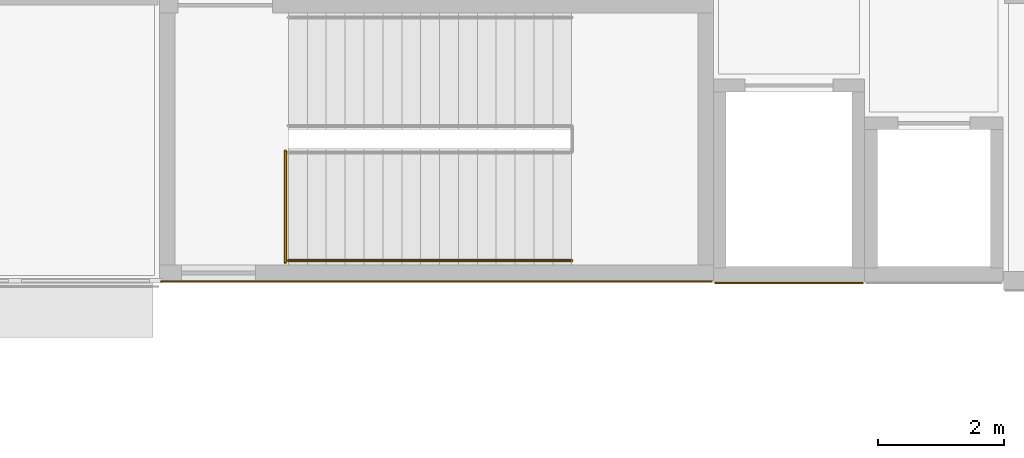
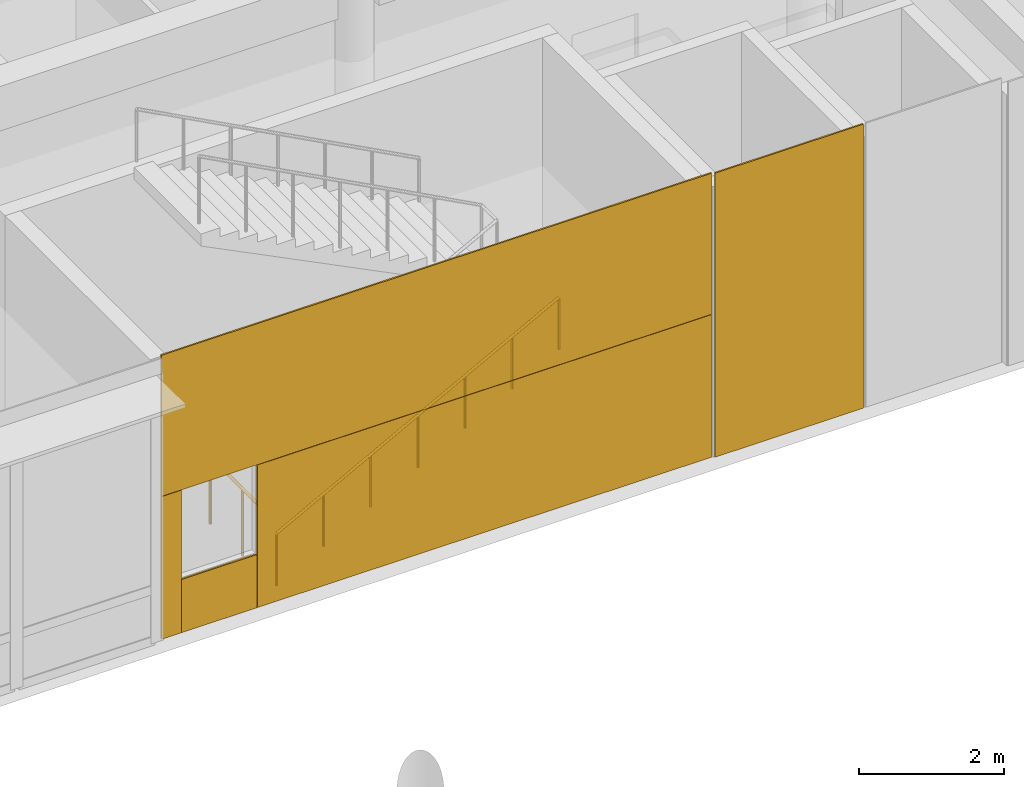
# One storey, part 80 of 92: 5 coverings, 2 railings.
"""IFC4 building model written with IfcOpenShell, lengths in metres."""

from ifc_helpers import new_model, si_unit, direction, frame, origin, origin_2d, place, context, subcontext, project, spatial, rectangle, circle, extrude, material, layer, layer_set, type_object, element, save


model = new_model("IFC4")

# Units and contexts
model_context = context("Model", 3, precision=1e-05, world=origin(), true_north=direction((0.0, 1.0)))
body_context = subcontext(model_context, "Body", "Model", "MODEL_VIEW")
ifc_project = project(units=[si_unit("LENGTHUNIT", "METRE"), si_unit("AREAUNIT", "SQUARE_METRE"), si_unit("VOLUMEUNIT", "CUBIC_METRE"), si_unit("PLANEANGLEUNIT", "RADIAN"), si_unit("MASSUNIT", "GRAM", prefix="KILO")], contexts=[model_context])

# Site, building, storey
site_placement = place(None, origin())
site = spatial("IfcSite", under=ifc_project, at=site_placement, CompositionType="ELEMENT")
building_placement = place(site_placement, origin())
building = spatial("IfcBuilding", under=site, at=building_placement, Name="Namkhue Oval Health Centre", CompositionType="ELEMENT")
storey_placement = place(building_placement, frame((0.0, 0.0, 4.800048828125)))
storey = spatial("IfcBuildingStorey", under=building, at=storey_placement, Name="L01", CompositionType="ELEMENT", Elevation=4.800048828125)

# Railings
ifc_material_1 = material(Name="Brushed stainless steel 316L balustrade with laminated glass infill", Category="steel")
railing_type_1 = type_object("IfcRailingType", Name="INTERIOR BALUSTRADE GUARD 1150", PredefinedType="BALUSTRADE", material=ifc_material_1)
railing_1_placement = place(storey_placement, frame((59.60009765625, 90.2900390625, 0.0)))
element("IfcRailing", 1, at=railing_1_placement, inside=storey, type_object=railing_type_1, Name="Stair ST-03 L01 Landing Well Edge Guard", PredefinedType="BALUSTRADE", context=body_context, shape_type="SweptSolid", body=[
    extrude(circle(Radius=0.02392578125, at=origin_2d()), frame((0.0, 0.0, 1.1259765625), z_axis=(0.0, 1.0, 0.0), x_axis=(-1.0, 0.0, 0.0)), (0.0, 0.0, 1.0), 1.77001953125),
    extrude(circle(Radius=0.02099609375, at=origin_2d()), origin(), (0.0, 0.0, 1.0), 1.101806640625),
    extrude(circle(Radius=0.02099609375, at=origin_2d()), frame((0.0, 0.885009765625, 0.0)), (0.0, 0.0, 1.0), 1.101806640625),
    extrude(circle(Radius=0.02099609375, at=origin_2d()), frame((0.0, 1.77001953125, 0.0)), (0.0, 0.0, 1.0), 1.101806640625),
])
ifc_material_2 = material(Name="Brushed stainless steel 304 tubular handrail", Category="steel")
railing_type_2 = type_object("IfcRailingType", Name="INTERIOR STAIR HANDRAIL 900", PredefinedType="HANDRAIL", material=ifc_material_2)
railing_2_placement = place(storey_placement, frame((59.64990234375, 90.320068359375, 0.0)))
element("IfcRailing", 2, at=railing_2_placement, inside=storey, type_object=railing_type_2, Name="Stair ST-03 L01 Flight 1 Handrail", PredefinedType="HANDRAIL", context=body_context, shape_type="SweptSolid", body=[
    extrude(circle(Radius=0.02392578125, at=origin_2d()), frame((0.0, 0.0, 0.8759765625), z_axis=(0.882360891967, 0.0, 0.470573327259), x_axis=(0.0, 1.0, 0.0)), (0.0, 0.0, 1.0), 5.099853515625),
    extrude(circle(Radius=0.02099609375, at=origin_2d()), origin(), (0.0, 0.0, 1.0), 0.851806640625),
    extrude(circle(Radius=0.02099609375, at=origin_2d()), frame((0.75, 0.0, 0.39990234375)), (0.0, 0.0, 1.0), 0.851806640625),
    extrude(circle(Radius=0.02099609375, at=origin_2d()), frame((1.5, 0.0, 0.800048828125)), (0.0, 0.0, 1.0), 0.851806640625),
    extrude(circle(Radius=0.02099609375, at=origin_2d()), frame((2.25, 0.0, 1.199951171875)), (0.0, 0.0, 1.0), 0.851806640625),
    extrude(circle(Radius=0.02099609375, at=origin_2d()), frame((3.0, 0.0, 1.599853515625)), (0.0, 0.0, 1.0), 0.851806640625),
    extrude(circle(Radius=0.02099609375, at=origin_2d()), frame((3.75, 0.0, 2.0)), (0.0, 0.0, 1.0), 0.851806640625),
    extrude(circle(Radius=0.02099609375, at=origin_2d()), frame((4.5, 0.0, 2.39990234375)), (0.0, 0.0, 1.0), 0.851806640625),
])

# Coverings
ifc_material_3 = material(Name="White glass-fibre reinforced concrete GRC rainscreen cladding", Category="concrete")
ifc_layer = layer(ifc_material_3, 0.02490234375)
ifc_layer_set = layer_set([ifc_layer], Name="White glass-fibre reinforced concrete GRC rainscreen cladding")
covering_type = type_object("IfcCoveringType", Name="WHITE GRC RAINSCREEN CLADDING 25", PredefinedType="CLADDING", material=ifc_layer_set)
covering_1_placement = place(storey_placement, frame((62.0, 89.988037109375, 2.4150390625), z_axis=(0.0, 0.0, 1.0), x_axis=(1.0, 0.0, 0.0)))
element("IfcCovering", 3, at=covering_1_placement, inside=storey, type_object=covering_type, Name="Core SC-03 L01 Core S White GRC Cladding 1", PredefinedType="CLADDING", context=body_context, shape_type="SweptSolid", body=[
    extrude(rectangle(XDim=8.760009765625, YDim=0.02490234375, at=origin_2d()), origin(), (0.0, 0.0, 1.0), 2.375),
])
covering_2_placement = place(storey_placement, frame((57.777587890625, 89.988037109375, 0.010009765625), z_axis=(0.0, 0.0, 1.0), x_axis=(1.0, 0.0, 0.0)))
element("IfcCovering", 4, at=covering_2_placement, inside=storey, type_object=covering_type, Name="Core SC-03 L01 Core S White GRC Cladding 2", PredefinedType="CLADDING", context=body_context, shape_type="SweptSolid", body=[
    extrude(rectangle(XDim=0.31494140625, YDim=0.02490234375, at=origin_2d()), origin(), (0.0, 0.0, 1.0), 2.39990234375),
])
covering_3_placement = place(storey_placement, frame((58.5400390625, 89.988037109375, 0.010009765625), z_axis=(0.0, 0.0, 1.0), x_axis=(1.0, 0.0, 0.0)))
element("IfcCovering", 5, at=covering_3_placement, inside=storey, type_object=covering_type, Name="Core SC-03 L01 Core S White GRC Cladding 3", PredefinedType="CLADDING", context=body_context, shape_type="SweptSolid", body=[
    extrude(rectangle(XDim=1.199951171875, YDim=0.02490234375, at=origin_2d()), origin(), (0.0, 0.0, 1.0), 0.89501953125),
])
covering_4_placement = place(storey_placement, frame((62.762451171875, 89.988037109375, 0.010009765625), z_axis=(0.0, 0.0, 1.0), x_axis=(1.0, 0.0, 0.0)))
element("IfcCovering", 6, at=covering_4_placement, inside=storey, type_object=covering_type, Name="Core SC-03 L01 Core S White GRC Cladding 4", PredefinedType="CLADDING", context=body_context, shape_type="SweptSolid", body=[
    extrude(rectangle(XDim=7.235107421875, YDim=0.02490234375, at=origin_2d()), origin(), (0.0, 0.0, 1.0), 2.39990234375),
])
covering_5_placement = place(storey_placement, frame((67.60009765625, 89.962890625, 0.009765625), z_axis=(0.0, 0.0, 1.0), x_axis=(1.0, 0.0, 0.0)))
element("IfcCovering", 7, at=covering_5_placement, inside=storey, type_object=covering_type, Name="Lift LF-01 L01 S White GRC Cladding 1", PredefinedType="CLADDING", context=body_context, shape_type="SweptSolid", body=[
    extrude(rectangle(XDim=2.360107421875, YDim=0.02490234375, at=origin_2d()), origin(), (0.0, 0.0, 1.0), 4.780029296875),
])

save(model, "model.ifc")
